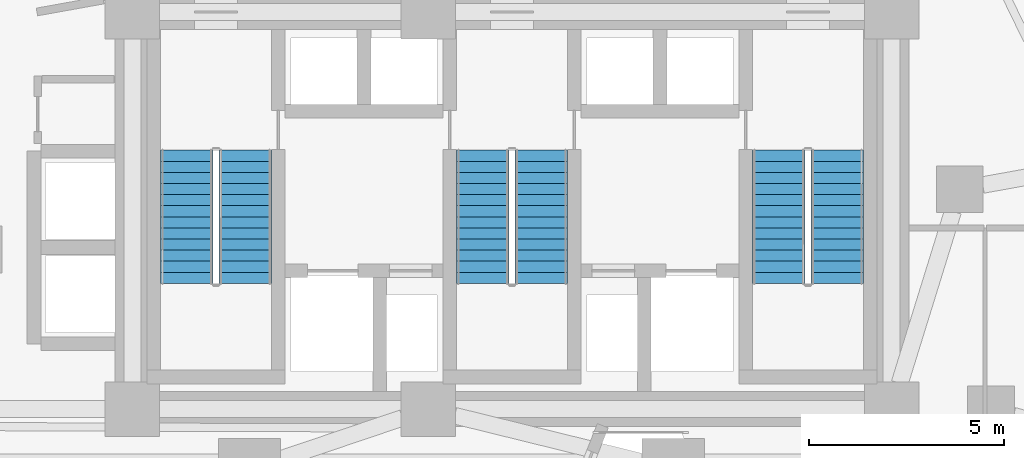
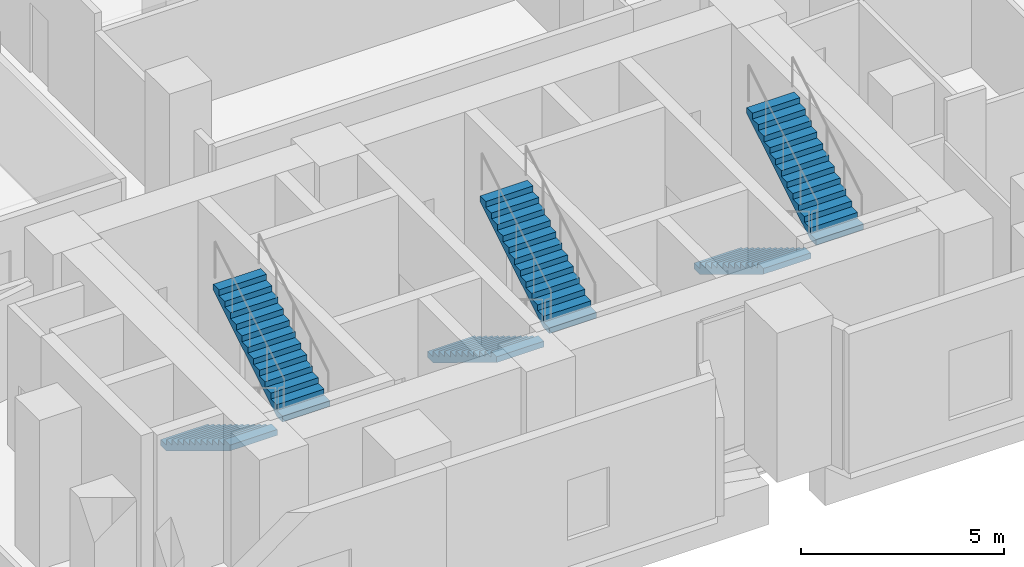
# One storey, part 10 of 12: 6 stair flights, 3 elements without a shape of their own.
"""IFC4 building model written with IfcOpenShell, lengths in metres."""

import ifcopenshell
import ifcopenshell.guid

model = None  # the IFC model being written
_history = None  # IfcOwnerHistory: only IFC2X3 demands one
_inside = {}  # id of a spatial element -> (the spatial element, [elements in it])
_under = {}  # id of a project, library or spatial element -> (it, [spatial elements below it])
_declared = {}  # id of a project -> (the project, [libraries it declares])
_typed = {}  # id of a type object -> (the type object, [elements of that type])
_made_of = {}  # id of a material, layer set ... -> (it, [elements and type objects made of it])


def new_model(schema):
    """Start an empty IFC model of exactly this schema.

    Asked for "IFC4X3", IfcOpenShell would pick the latest addendum, in which some entities
    have other attributes; the version numbers below select the first issue.
    IFC2X3 requires an IfcOwnerHistory on every rooted entity: one is made here for all.
    """
    global model, _history
    if schema == "IFC4X3":
        model = ifcopenshell.file(schema_version=(4, 3, 0, 0))
    else:
        model = ifcopenshell.file(schema=schema)
    _inside.clear()
    _under.clear()
    _declared.clear()
    _typed.clear()
    _made_of.clear()
    _history = None
    if model.schema == "IFC2X3":
        org = make("IfcOrganization", Name="unknown")
        user = make(
            "IfcPersonAndOrganization",
            ThePerson=make("IfcPerson", FamilyName="unknown"),
            TheOrganization=org,
        )
        app = make(
            "IfcApplication",
            ApplicationDeveloper=org,
            Version="unknown",
            ApplicationFullName="unknown",
            ApplicationIdentifier="unknown",
        )
        _history = make(
            "IfcOwnerHistory",
            OwningUser=user,
            OwningApplication=app,
            ChangeAction="ADDED",
            CreationDate=0,
        )
    return model


def make(cls, **values):
    """One entity of the class cls with the attributes given. An attribute that is None is left unset."""
    return model.create_entity(
        cls, **{name: value for name, value in values.items() if value is not None}
    )


def rooted(cls, **values):
    """An entity with a GlobalId (a new one), such as an element, a storey or a relation."""
    return make(cls, GlobalId=ifcopenshell.guid.new(), OwnerHistory=_history, **values)


def si_unit(unit_type, name, prefix=None):
    """IfcSIUnit, for example si_unit("LENGTHUNIT", "METRE", prefix="MILLI")."""
    return make("IfcSIUnit", UnitType=unit_type, Prefix=prefix, Name=name)


def assignment(units):
    """IfcUnitAssignment: the units of a project."""
    return None if units is None else make("IfcUnitAssignment", Units=units)


def point(xyz):
    """IfcCartesianPoint."""
    return None if xyz is None else make("IfcCartesianPoint", Coordinates=xyz)


def direction(xyz):
    """IfcDirection."""
    return None if xyz is None else make("IfcDirection", DirectionRatios=xyz)


def frame(location, z_axis=None, x_axis=None):
    """IfcAxis2Placement3D, a coordinate frame: its origin and axes. An axis left out is left unset."""
    return make(
        "IfcAxis2Placement3D",
        Location=point(location),
        Axis=direction(z_axis),
        RefDirection=direction(x_axis),
    )


def origin():
    """The frame at (0, 0, 0) with its axes left unset."""
    return frame((0.0, 0.0, 0.0))


def place(relative_to, where):
    """IfcLocalPlacement: puts the frame where relative to a parent placement (None: the world)."""
    return make(
        "IfcLocalPlacement", PlacementRelTo=relative_to, RelativePlacement=where
    )


def context(
    kind, dimensions, precision=None, world=None, true_north=None, identifier=None
):
    """IfcGeometricRepresentationContext, for example the 3D "Model" context."""
    return make(
        "IfcGeometricRepresentationContext",
        ContextIdentifier=identifier,
        ContextType=kind,
        CoordinateSpaceDimension=dimensions,
        Precision=precision,
        WorldCoordinateSystem=world,
        TrueNorth=true_north,
    )


def subcontext(parent, identifier, kind, view, scale=None):
    """IfcGeometricRepresentationSubContext, for example "Body" below "Model"."""
    return make(
        "IfcGeometricRepresentationSubContext",
        ContextIdentifier=identifier,
        ContextType=kind,
        ParentContext=parent,
        TargetScale=scale,
        TargetView=view,
    )


def project(units=None, contexts=None):
    """IfcProject with its units and contexts."""
    return rooted(
        "IfcProject",
        Name="project",
        RepresentationContexts=contexts,
        UnitsInContext=assignment(units),
    )


def spatial(cls, under=None, at=None, **own):
    """A site, building, storey or space (cls), placed at a placement, below another one or the project."""
    s = rooted(cls, ObjectPlacement=at, **own)
    if under is not None:
        _under.setdefault(under.id(), (under, []))[1].append(s)
    return s


def polyline(points):
    """IfcPolyline through the points."""
    return make("IfcPolyline", Points=[point(p) for p in points])


def outline(outer, holes=None, kind="AREA"):
    """IfcArbitraryClosedProfileDef: a profile drawn as a closed curve; with holes, ...WithVoids."""
    if holes is None:
        return make("IfcArbitraryClosedProfileDef", ProfileType=kind, OuterCurve=outer)
    return make(
        "IfcArbitraryProfileDefWithVoids",
        ProfileType=kind,
        OuterCurve=outer,
        InnerCurves=holes,
    )


def extrude(swept, where, along, depth):
    """IfcExtrudedAreaSolid: the profile swept, set in the frame where, extruded along a direction by depth."""
    return make(
        "IfcExtrudedAreaSolid",
        SweptArea=swept,
        Position=where,
        ExtrudedDirection=direction(along),
        Depth=depth,
    )


def shape(context_of_items, identifier, shape_type, items):
    """IfcShapeRepresentation: the items that make up one representation, for example the "Body"."""
    return make(
        "IfcShapeRepresentation",
        ContextOfItems=context_of_items,
        RepresentationIdentifier=identifier,
        RepresentationType=shape_type,
        Items=items,
    )


def material(Name=None, Category=None):
    """IfcMaterial."""
    return make("IfcMaterial", Name=Name, Category=Category)


def made_of(thing, what):
    """Note that an element or type object is made of a material, layer set ...; save() writes the relation."""
    if what is not None:
        _made_of.setdefault(what.id(), (what, []))[1].append(thing)
    return thing


def type_object(cls, material=None, **own):
    """A type object (cls), such as IfcWallType, which elements share."""
    return made_of(rooted(cls, **own), material)


def element(
    cls,
    number,
    at=None,
    inside=None,
    cuts=None,
    type_object=None,
    material=None,
    context=None,
    identifier="Body",
    shape_type=None,
    held_by="IfcProductDefinitionShape",
    body=None,
    shapes=None,
    **own,
):
    """One element of the class cls, such as IfcWall. Its Tag is "e" and its number.

    at: its placement. inside: the storey or other place that contains it. cuts: it is an
    opening in that element (IfcRelVoidsElement). A single representation is given by context,
    identifier, shape_type and body (its items); several are given by shapes. held_by: the class
    of the entity that holds the representations. save() writes the other relations.
    """
    e = rooted(cls, Tag="e%d" % number, ObjectPlacement=at, **own)
    if body is not None:
        shapes = [shape(context, identifier, shape_type, body)]
    if shapes is not None:
        e.Representation = make(held_by, Representations=shapes)
    if inside is not None:
        _inside.setdefault(inside.id(), (inside, []))[1].append(e)
    if cuts is not None:
        rooted(
            "IfcRelVoidsElement", RelatingBuildingElement=cuts, RelatedOpeningElement=e
        )
    if type_object is not None:
        _typed.setdefault(type_object.id(), (type_object, []))[1].append(e)
    return made_of(e, material)


def aggregate(whole, parts):
    """IfcRelAggregates: a whole, such as a stair, and the parts it consists of."""
    return rooted("IfcRelAggregates", RelatingObject=whole, RelatedObjects=parts)


def save(model, path):
    """Write the relations noted so far, then the file.

    IfcRelAggregates (storeys below a building ...), IfcRelContainedInSpatialStructure (elements
    in a storey), IfcRelDefinesByType, IfcRelAssociatesMaterial and IfcRelDeclares: one each for
    every whole, place, type object, material and project.
    """
    for whole, parts in _under.values():
        aggregate(whole, parts)
    for where, things in _inside.values():
        rooted(
            "IfcRelContainedInSpatialStructure",
            RelatedElements=things,
            RelatingStructure=where,
        )
    for kind, things in _typed.values():
        rooted("IfcRelDefinesByType", RelatedObjects=things, RelatingType=kind)
    for what, things in _made_of.values():
        rooted("IfcRelAssociatesMaterial", RelatedObjects=things, RelatingMaterial=what)
    for by, libraries in _declared.values():
        rooted("IfcRelDeclares", RelatingContext=by, RelatedDefinitions=libraries)
    model.write(path)


model = new_model("IFC4")

# Units and contexts
model_context = context("Model", 3, precision=1e-05, world=origin(), true_north=direction((0.0, 1.0)))
body_context = subcontext(model_context, "Body", "Model", "MODEL_VIEW")
ifc_project = project(units=[si_unit("LENGTHUNIT", "METRE"), si_unit("AREAUNIT", "SQUARE_METRE"), si_unit("VOLUMEUNIT", "CUBIC_METRE"), si_unit("PLANEANGLEUNIT", "RADIAN"), si_unit("MASSUNIT", "GRAM", prefix="KILO")], contexts=[model_context])

# Site, building, storey
site_placement = place(None, origin())
site = spatial("IfcSite", under=ifc_project, at=site_placement, CompositionType="ELEMENT")
building_placement = place(site_placement, origin())
building = spatial("IfcBuilding", under=site, at=building_placement, Name="Almagre Mirador Tower", CompositionType="ELEMENT")
storey_placement = place(building_placement, frame((0.0, 0.0, 17.39990234375)))
storey = spatial("IfcBuildingStorey", under=building, at=storey_placement, Name="L03", CompositionType="ELEMENT", Elevation=17.39990234375)

# Stair, stair flights
ifc_material_1 = material(Name="Concrete C45/55", Category="concrete")
stair_type = type_object("IfcStairType", Name="STR-DL-4500", PredefinedType="HALF_TURN_STAIR", material=ifc_material_1)
stair_1_placement = place(storey_placement, origin())
stair_1 = element("IfcStair", 1, at=stair_1_placement, inside=storey, type_object=stair_type, Name="L03 Protected exit stair ST-1", PredefinedType="HALF_TURN_STAIR")
ifc_material_2 = material(Name="Concrete C45/55", Category="concrete")
stair_flight_type = type_object("IfcStairFlightType", Name="FLT-DL-4500", PredefinedType="STRAIGHT", material=ifc_material_2)
stair_flight_1_placement = place(storey_placement, frame((28.949951171875, 11.199951171875, 0.0), z_axis=(0.0, 0.0, 1.0), x_axis=(0.0, -1.0, 0.0)))
stair_flight_1 = element("IfcStairFlight", 2, at=stair_flight_1_placement, type_object=stair_flight_type, Name="ST-1 flight 1", NumberOfRisers=13, NumberOfTreads=12, PredefinedType="STRAIGHT", RiserHeight=0.173076923, TreadLength=0.285, context=body_context, shape_type="SweptSolid", body=[
    extrude(outline(polyline([(0.0, 0.0), (0.0, 0.173095703125), (0.284912109375, 0.173095703125), (0.284912109375, 0.34619140625), (0.570068359375, 0.34619140625), (0.570068359375, 0.519287109375), (0.85498046875, 0.519287109375), (0.85498046875, 0.6923828125), (1.139892578125, 0.6923828125), (1.139892578125, 0.865478515625), (1.425048828125, 0.865478515625), (1.425048828125, 1.03857421875), (1.7099609375, 1.03857421875), (1.7099609375, 1.21142578125), (1.9951171875, 1.21142578125), (1.9951171875, 1.384521484375), (2.280029296875, 1.384521484375), (2.280029296875, 1.5576171875), (2.56494140625, 1.5576171875), (2.56494140625, 1.730712890625), (2.85009765625, 1.730712890625), (2.85009765625, 1.90380859375), (3.135009765625, 1.90380859375), (3.135009765625, 2.076904296875), (3.419921875, 2.076904296875), (3.419921875, 2.25), (3.419921875, 1.901611328125), (0.288818359375, 0.0), (0.0, 0.0)])), frame((0.0, 0.675048828125, 0.0), z_axis=(0.0, -1.0, 0.0), x_axis=(1.0, 0.0, 0.0)), (0.0, 0.0, 1.0), 1.35009765625),
])
stair_flight_2_placement = place(storey_placement, frame((30.449951171875, 7.780029296875, 2.25), z_axis=(0.0, 0.0, 1.0), x_axis=(0.0, 1.0, 0.0)))
stair_flight_2 = element("IfcStairFlight", 3, at=stair_flight_2_placement, type_object=stair_flight_type, Name="ST-1 flight 2", NumberOfRisers=13, NumberOfTreads=12, PredefinedType="STRAIGHT", RiserHeight=0.173076923, TreadLength=0.285, context=body_context, shape_type="SweptSolid", body=[
    extrude(outline(polyline([(0.0, 0.0), (0.0, 0.173095703125), (0.284912109375, 0.173095703125), (0.284912109375, 0.34619140625), (0.570068359375, 0.34619140625), (0.570068359375, 0.519287109375), (0.85498046875, 0.519287109375), (0.85498046875, 0.6923828125), (1.139892578125, 0.6923828125), (1.139892578125, 0.865478515625), (1.425048828125, 0.865478515625), (1.425048828125, 1.03857421875), (1.7099609375, 1.03857421875), (1.7099609375, 1.21142578125), (1.9951171875, 1.21142578125), (1.9951171875, 1.384521484375), (2.280029296875, 1.384521484375), (2.280029296875, 1.5576171875), (2.56494140625, 1.5576171875), (2.56494140625, 1.730712890625), (2.85009765625, 1.730712890625), (2.85009765625, 1.90380859375), (3.135009765625, 1.90380859375), (3.135009765625, 2.076904296875), (3.419921875, 2.076904296875), (3.419921875, 2.25), (3.419921875, 1.901611328125), (0.288818359375, 0.0), (0.0, 0.0)])), frame((0.0, 0.675048828125, 0.0), z_axis=(0.0, -1.0, 0.0), x_axis=(1.0, 0.0, 0.0)), (0.0, 0.0, 1.0), 1.35009765625),
])
aggregate(stair_1, [stair_flight_1, stair_flight_2])

stair_2_placement = place(storey_placement, origin())
stair_2 = element("IfcStair", 4, at=stair_2_placement, inside=storey, type_object=stair_type, Name="L03 Protected exit stair ST-2", PredefinedType="HALF_TURN_STAIR")
stair_flight_3_placement = place(storey_placement, frame((36.550048828125, 11.199951171875, 0.0), z_axis=(0.0, 0.0, 1.0), x_axis=(0.0, -1.0, 0.0)))
stair_flight_3 = element("IfcStairFlight", 5, at=stair_flight_3_placement, type_object=stair_flight_type, Name="ST-2 flight 1", NumberOfRisers=13, NumberOfTreads=12, PredefinedType="STRAIGHT", RiserHeight=0.173076923, TreadLength=0.285, context=body_context, shape_type="SweptSolid", body=[
    extrude(outline(polyline([(0.0, 0.0), (0.0, 0.173095703125), (0.284912109375, 0.173095703125), (0.284912109375, 0.34619140625), (0.570068359375, 0.34619140625), (0.570068359375, 0.519287109375), (0.85498046875, 0.519287109375), (0.85498046875, 0.6923828125), (1.139892578125, 0.6923828125), (1.139892578125, 0.865478515625), (1.425048828125, 0.865478515625), (1.425048828125, 1.03857421875), (1.7099609375, 1.03857421875), (1.7099609375, 1.21142578125), (1.9951171875, 1.21142578125), (1.9951171875, 1.384521484375), (2.280029296875, 1.384521484375), (2.280029296875, 1.5576171875), (2.56494140625, 1.5576171875), (2.56494140625, 1.730712890625), (2.85009765625, 1.730712890625), (2.85009765625, 1.90380859375), (3.135009765625, 1.90380859375), (3.135009765625, 2.076904296875), (3.419921875, 2.076904296875), (3.419921875, 2.25), (3.419921875, 1.901611328125), (0.288818359375, 0.0), (0.0, 0.0)])), frame((0.0, 0.675048828125, 0.0), z_axis=(0.0, -1.0, 0.0), x_axis=(1.0, 0.0, 0.0)), (0.0, 0.0, 1.0), 1.35009765625),
])
stair_flight_4_placement = place(storey_placement, frame((38.050048828125, 7.780029296875, 2.25), z_axis=(0.0, 0.0, 1.0), x_axis=(0.0, 1.0, 0.0)))
stair_flight_4 = element("IfcStairFlight", 6, at=stair_flight_4_placement, type_object=stair_flight_type, Name="ST-2 flight 2", NumberOfRisers=13, NumberOfTreads=12, PredefinedType="STRAIGHT", RiserHeight=0.173076923, TreadLength=0.285, context=body_context, shape_type="SweptSolid", body=[
    extrude(outline(polyline([(0.0, 0.0), (0.0, 0.173095703125), (0.284912109375, 0.173095703125), (0.284912109375, 0.34619140625), (0.570068359375, 0.34619140625), (0.570068359375, 0.519287109375), (0.85498046875, 0.519287109375), (0.85498046875, 0.6923828125), (1.139892578125, 0.6923828125), (1.139892578125, 0.865478515625), (1.425048828125, 0.865478515625), (1.425048828125, 1.03857421875), (1.7099609375, 1.03857421875), (1.7099609375, 1.21142578125), (1.9951171875, 1.21142578125), (1.9951171875, 1.384521484375), (2.280029296875, 1.384521484375), (2.280029296875, 1.5576171875), (2.56494140625, 1.5576171875), (2.56494140625, 1.730712890625), (2.85009765625, 1.730712890625), (2.85009765625, 1.90380859375), (3.135009765625, 1.90380859375), (3.135009765625, 2.076904296875), (3.419921875, 2.076904296875), (3.419921875, 2.25), (3.419921875, 1.901611328125), (0.288818359375, 0.0), (0.0, 0.0)])), frame((0.0, 0.675048828125, 0.0), z_axis=(0.0, -1.0, 0.0), x_axis=(1.0, 0.0, 0.0)), (0.0, 0.0, 1.0), 1.35009765625),
])
aggregate(stair_2, [stair_flight_3, stair_flight_4])

stair_3_placement = place(storey_placement, origin())
stair_3 = element("IfcStair", 7, at=stair_3_placement, inside=storey, type_object=stair_type, Name="L03 Protected exit stair ST-3", PredefinedType="HALF_TURN_STAIR")
stair_flight_5_placement = place(storey_placement, frame((44.14990234375, 11.199951171875, 0.0), z_axis=(0.0, 0.0, 1.0), x_axis=(0.0, -1.0, 0.0)))
stair_flight_5 = element("IfcStairFlight", 8, at=stair_flight_5_placement, type_object=stair_flight_type, Name="ST-3 flight 1", NumberOfRisers=13, NumberOfTreads=12, PredefinedType="STRAIGHT", RiserHeight=0.173076923, TreadLength=0.285, context=body_context, shape_type="SweptSolid", body=[
    extrude(outline(polyline([(0.0, 0.0), (0.0, 0.173095703125), (0.284912109375, 0.173095703125), (0.284912109375, 0.34619140625), (0.570068359375, 0.34619140625), (0.570068359375, 0.519287109375), (0.85498046875, 0.519287109375), (0.85498046875, 0.6923828125), (1.139892578125, 0.6923828125), (1.139892578125, 0.865478515625), (1.425048828125, 0.865478515625), (1.425048828125, 1.03857421875), (1.7099609375, 1.03857421875), (1.7099609375, 1.21142578125), (1.9951171875, 1.21142578125), (1.9951171875, 1.384521484375), (2.280029296875, 1.384521484375), (2.280029296875, 1.5576171875), (2.56494140625, 1.5576171875), (2.56494140625, 1.730712890625), (2.85009765625, 1.730712890625), (2.85009765625, 1.90380859375), (3.135009765625, 1.90380859375), (3.135009765625, 2.076904296875), (3.419921875, 2.076904296875), (3.419921875, 2.25), (3.419921875, 1.901611328125), (0.288818359375, 0.0), (0.0, 0.0)])), frame((0.0, 0.675048828125, 0.0), z_axis=(0.0, -1.0, 0.0), x_axis=(1.0, 0.0, 0.0)), (0.0, 0.0, 1.0), 1.35009765625),
])
stair_flight_6_placement = place(storey_placement, frame((45.64990234375, 7.780029296875, 2.25), z_axis=(0.0, 0.0, 1.0), x_axis=(0.0, 1.0, 0.0)))
stair_flight_6 = element("IfcStairFlight", 9, at=stair_flight_6_placement, type_object=stair_flight_type, Name="ST-3 flight 2", NumberOfRisers=13, NumberOfTreads=12, PredefinedType="STRAIGHT", RiserHeight=0.173076923, TreadLength=0.285, context=body_context, shape_type="SweptSolid", body=[
    extrude(outline(polyline([(0.0, 0.0), (0.0, 0.173095703125), (0.284912109375, 0.173095703125), (0.284912109375, 0.34619140625), (0.570068359375, 0.34619140625), (0.570068359375, 0.519287109375), (0.85498046875, 0.519287109375), (0.85498046875, 0.6923828125), (1.139892578125, 0.6923828125), (1.139892578125, 0.865478515625), (1.425048828125, 0.865478515625), (1.425048828125, 1.03857421875), (1.7099609375, 1.03857421875), (1.7099609375, 1.21142578125), (1.9951171875, 1.21142578125), (1.9951171875, 1.384521484375), (2.280029296875, 1.384521484375), (2.280029296875, 1.5576171875), (2.56494140625, 1.5576171875), (2.56494140625, 1.730712890625), (2.85009765625, 1.730712890625), (2.85009765625, 1.90380859375), (3.135009765625, 1.90380859375), (3.135009765625, 2.076904296875), (3.419921875, 2.076904296875), (3.419921875, 2.25), (3.419921875, 1.901611328125), (0.288818359375, 0.0), (0.0, 0.0)])), frame((0.0, 0.675048828125, 0.0), z_axis=(0.0, -1.0, 0.0), x_axis=(1.0, 0.0, 0.0)), (0.0, 0.0, 1.0), 1.35009765625),
])
aggregate(stair_3, [stair_flight_5, stair_flight_6])

save(model, "model.ifc")
